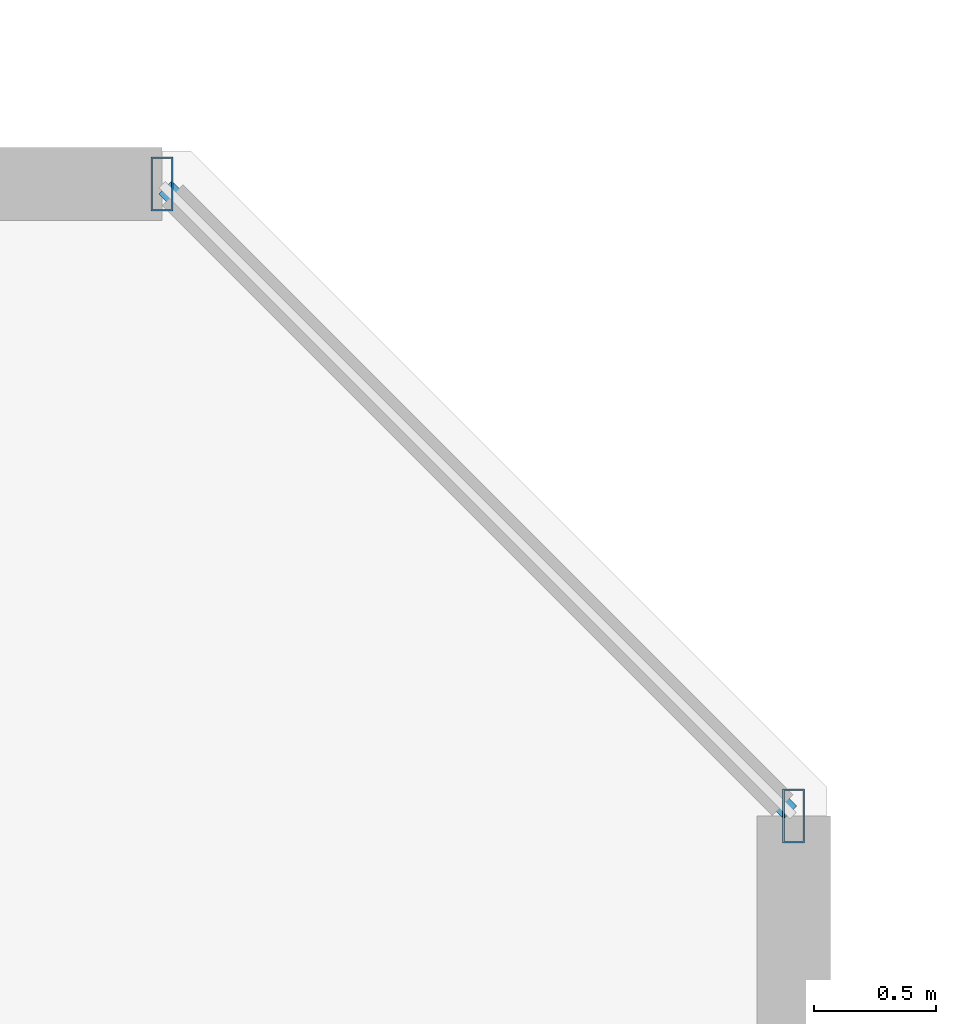
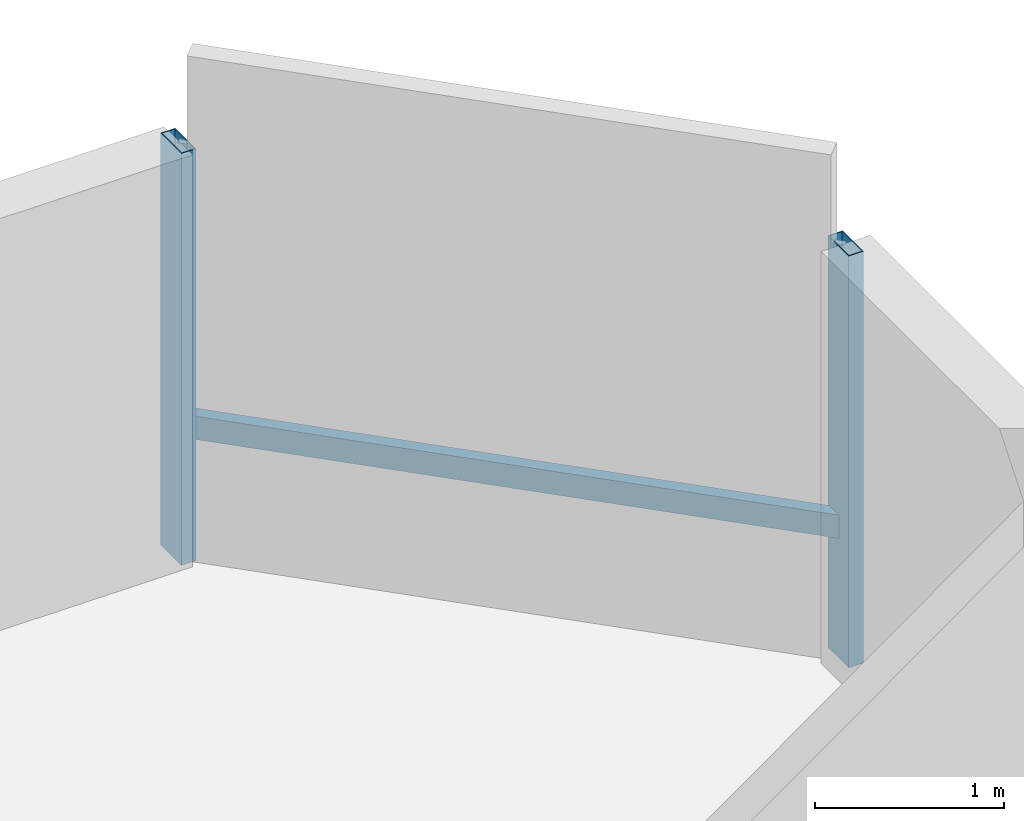
# One storey, part 10 of 36: 3 members, 1 element without a shape of its own.
"""IFC4 building model written with IfcOpenShell, lengths in metres."""

from ifc_helpers import new_model, si_unit, direction, frame, origin, origin_2d, place, context, subcontext, project, spatial, hollow_rectangle, extrude, material, material_profile, profile_set, type_object, element, aggregate, save


model = new_model("IFC4")

# Units and contexts
model_context = context("Model", 3, precision=1e-05, world=origin(), true_north=direction((0.0, 1.0)))
body_context = subcontext(model_context, "Body", "Model", "MODEL_VIEW")
ifc_project = project(units=[si_unit("LENGTHUNIT", "METRE"), si_unit("AREAUNIT", "SQUARE_METRE"), si_unit("VOLUMEUNIT", "CUBIC_METRE"), si_unit("PLANEANGLEUNIT", "RADIAN"), si_unit("MASSUNIT", "GRAM", prefix="KILO")], contexts=[model_context])

# Site, building, storey
site_placement = place(None, origin())
site = spatial("IfcSite", under=ifc_project, at=site_placement, CompositionType="ELEMENT")
building_placement = place(site_placement, origin())
building = spatial("IfcBuilding", under=site, at=building_placement, Name="Thornwick Lancets Civic Towers", CompositionType="ELEMENT")
storey_placement = place(building_placement, frame((0.0, 0.0, 68.10009765625)))
storey = spatial("IfcBuildingStorey", under=building, at=storey_placement, Name="L17", CompositionType="ELEMENT", Elevation=68.10009765625)

# Curtain wall, members
ifc_material_1 = material(Name="Low-zone chamfered-corner unitised glass curtain wall", Category="glass")
curtain_wall_type = type_object("IfcCurtainWallType", Name="CW_SYS_03", PredefinedType="NOTDEFINED", material=ifc_material_1)
curtain_wall_placement = place(storey_placement, origin())
curtain_wall = element("IfcCurtainWall", 1, at=curtain_wall_placement, inside=storey, type_object=curtain_wall_type, Name="L17 Curtain Wall CW-L17-A-E3", PredefinedType="NOTDEFINED")
ifc_material_2 = material(Name="Thermally broken bronze aluminium S355", Category="steel")
ifc_material_profile_1 = material_profile(ifc_material_2, hollow_rectangle(XDim=0.090087890625, YDim=0.219970703125, WallThickness=0.00634765625, at=origin_2d()), Name="RHS 220x90x6.3")
ifc_profile_set_1 = profile_set([ifc_material_profile_1], Name="Thermally broken bronze aluminium S355")
member_type_1 = type_object("IfcMemberType", Name="CW_MUL_220", PredefinedType="MULLION", material=ifc_profile_set_1)
member_1_placement = place(storey_placement, frame((49.764892578125, 42.68115234375, 0.0), z_axis=(0.0, 0.0, 1.0), x_axis=(1.0, 0.0, 0.0)))
member_1 = element("IfcMember", 2, at=member_1_placement, type_object=member_type_1, Name="CW-L17-A-E3 Mullion 0", PredefinedType="MULLION", context=body_context, shape_type="SweptSolid", body=[
    extrude(hollow_rectangle(XDim=0.090087890625, YDim=0.219970703125, WallThickness=0.00634765625, at=origin_2d()), origin(), (0.0, 0.0, 1.0), 2.659912109375),
])
member_2_placement = place(storey_placement, frame((47.18115234375, 45.264892578125, 0.0), z_axis=(0.0, 0.0, 1.0), x_axis=(1.0, 0.0, 0.0)))
member_2 = element("IfcMember", 3, at=member_2_placement, type_object=member_type_1, Name="CW-L17-A-E3 Mullion 1", PredefinedType="MULLION", context=body_context, shape_type="SweptSolid", body=[
    extrude(hollow_rectangle(XDim=0.090087890625, YDim=0.219970703125, WallThickness=0.00634765625, at=origin_2d()), origin(), (0.0, 0.0, 1.0), 2.659912109375),
])
ifc_material_profile_2 = material_profile(ifc_material_2, hollow_rectangle(XDim=0.074951171875, YDim=0.14990234375, WallThickness=0.0048828125, at=origin_2d()), Name="RHS 150x75x5")
ifc_profile_set_2 = profile_set([ifc_material_profile_2], Name="Thermally broken bronze aluminium S355")
member_type_2 = type_object("IfcMemberType", Name="CW_TRN_150", PredefinedType="USERDEFINED", material=ifc_profile_set_2)
member_3_placement = place(storey_placement, frame((49.750732421875, 42.6953125, 0.849853515625), z_axis=(-0.707106781187, 0.707106781187, 0.0), x_axis=(-0.707106781187, -0.707106781187, 0.0)))
member_3 = element("IfcMember", 4, at=member_3_placement, type_object=member_type_2, Name="CW-L17-A-E3 Transom 0", ObjectType="TRANSOM", PredefinedType="USERDEFINED", context=body_context, shape_type="SweptSolid", body=[
    extrude(hollow_rectangle(XDim=0.074951171875, YDim=0.14990234375, WallThickness=0.0048828125, at=origin_2d()), origin(), (0.0, 0.0, 1.0), 3.614013671875),
])
aggregate(curtain_wall, [member_1, member_2, member_3])

save(model, "model.ifc")
